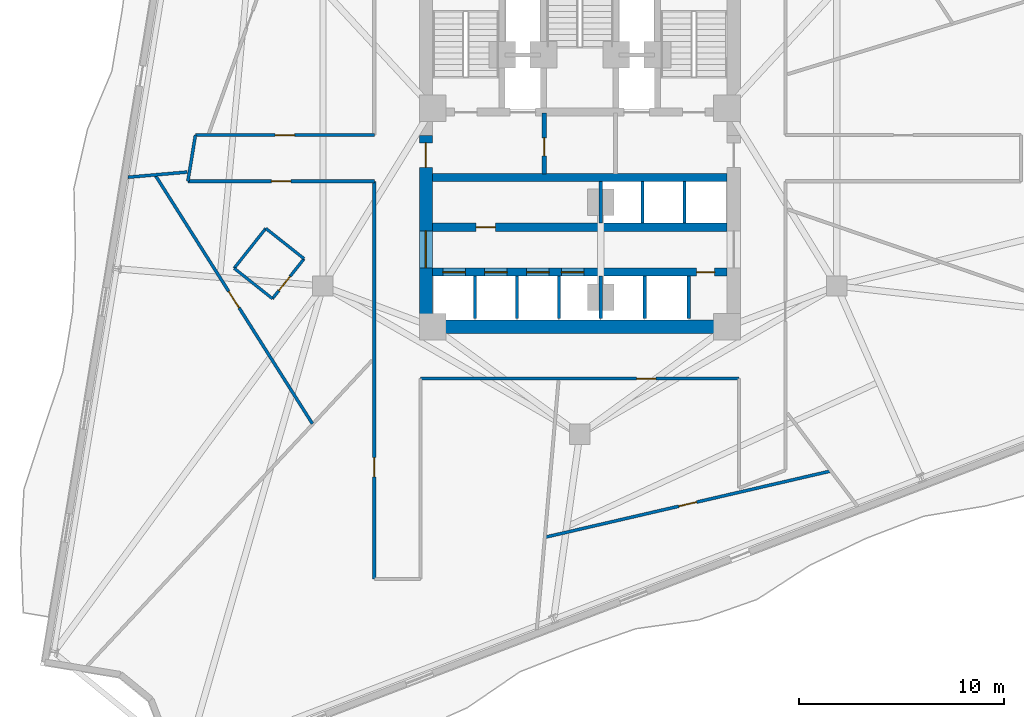
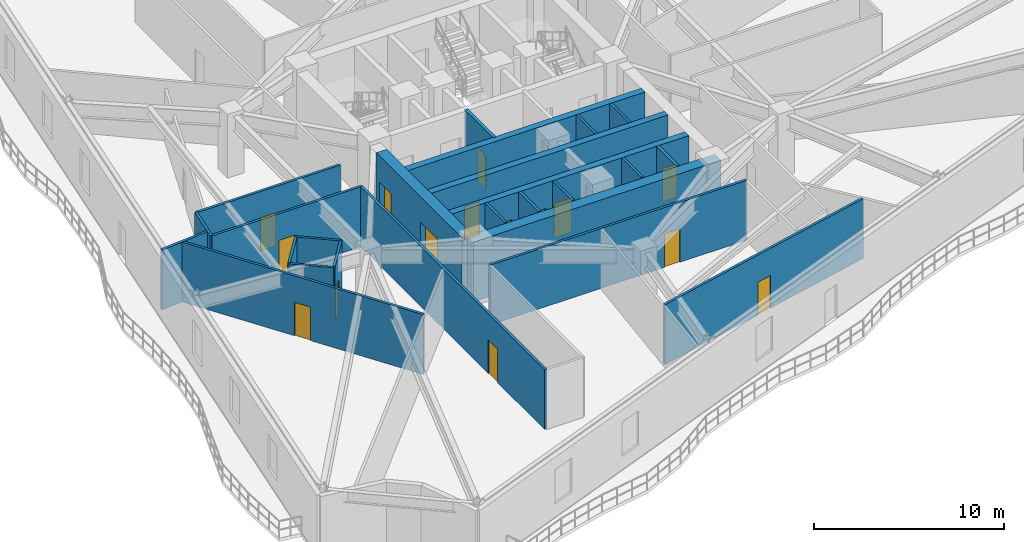
# One storey, part 4 of 11: 27 walls, 16 doors, 16 openings.
"""IFC4 building model written with IfcOpenShell, lengths in metres."""

import ifcopenshell
import ifcopenshell.guid

model = None  # the IFC model being written
_history = None  # IfcOwnerHistory: only IFC2X3 demands one
_inside = {}  # id of a spatial element -> (the spatial element, [elements in it])
_under = {}  # id of a project, library or spatial element -> (it, [spatial elements below it])
_declared = {}  # id of a project -> (the project, [libraries it declares])
_typed = {}  # id of a type object -> (the type object, [elements of that type])
_made_of = {}  # id of a material, layer set ... -> (it, [elements and type objects made of it])


def new_model(schema):
    """Start an empty IFC model of exactly this schema.

    Asked for "IFC4X3", IfcOpenShell would pick the latest addendum, in which some entities
    have other attributes; the version numbers below select the first issue.
    IFC2X3 requires an IfcOwnerHistory on every rooted entity: one is made here for all.
    """
    global model, _history
    if schema == "IFC4X3":
        model = ifcopenshell.file(schema_version=(4, 3, 0, 0))
    else:
        model = ifcopenshell.file(schema=schema)
    _inside.clear()
    _under.clear()
    _declared.clear()
    _typed.clear()
    _made_of.clear()
    _history = None
    if model.schema == "IFC2X3":
        org = make("IfcOrganization", Name="unknown")
        user = make(
            "IfcPersonAndOrganization",
            ThePerson=make("IfcPerson", FamilyName="unknown"),
            TheOrganization=org,
        )
        app = make(
            "IfcApplication",
            ApplicationDeveloper=org,
            Version="unknown",
            ApplicationFullName="unknown",
            ApplicationIdentifier="unknown",
        )
        _history = make(
            "IfcOwnerHistory",
            OwningUser=user,
            OwningApplication=app,
            ChangeAction="ADDED",
            CreationDate=0,
        )
    return model


def make(cls, **values):
    """One entity of the class cls with the attributes given. An attribute that is None is left unset."""
    return model.create_entity(
        cls, **{name: value for name, value in values.items() if value is not None}
    )


def rooted(cls, **values):
    """An entity with a GlobalId (a new one), such as an element, a storey or a relation."""
    return make(cls, GlobalId=ifcopenshell.guid.new(), OwnerHistory=_history, **values)


def si_unit(unit_type, name, prefix=None):
    """IfcSIUnit, for example si_unit("LENGTHUNIT", "METRE", prefix="MILLI")."""
    return make("IfcSIUnit", UnitType=unit_type, Prefix=prefix, Name=name)


def assignment(units):
    """IfcUnitAssignment: the units of a project."""
    return None if units is None else make("IfcUnitAssignment", Units=units)


def point(xyz):
    """IfcCartesianPoint."""
    return None if xyz is None else make("IfcCartesianPoint", Coordinates=xyz)


def direction(xyz):
    """IfcDirection."""
    return None if xyz is None else make("IfcDirection", DirectionRatios=xyz)


def frame(location, z_axis=None, x_axis=None):
    """IfcAxis2Placement3D, a coordinate frame: its origin and axes. An axis left out is left unset."""
    return make(
        "IfcAxis2Placement3D",
        Location=point(location),
        Axis=direction(z_axis),
        RefDirection=direction(x_axis),
    )


def frame_2d(location, x_axis=None):
    """IfcAxis2Placement2D, a coordinate frame in the plane: its origin and x axis."""
    return make(
        "IfcAxis2Placement2D", Location=point(location), RefDirection=direction(x_axis)
    )


def origin():
    """The frame at (0, 0, 0) with its axes left unset."""
    return frame((0.0, 0.0, 0.0))


def place(relative_to, where):
    """IfcLocalPlacement: puts the frame where relative to a parent placement (None: the world)."""
    return make(
        "IfcLocalPlacement", PlacementRelTo=relative_to, RelativePlacement=where
    )


def context(
    kind, dimensions, precision=None, world=None, true_north=None, identifier=None
):
    """IfcGeometricRepresentationContext, for example the 3D "Model" context."""
    return make(
        "IfcGeometricRepresentationContext",
        ContextIdentifier=identifier,
        ContextType=kind,
        CoordinateSpaceDimension=dimensions,
        Precision=precision,
        WorldCoordinateSystem=world,
        TrueNorth=true_north,
    )


def subcontext(parent, identifier, kind, view, scale=None):
    """IfcGeometricRepresentationSubContext, for example "Body" below "Model"."""
    return make(
        "IfcGeometricRepresentationSubContext",
        ContextIdentifier=identifier,
        ContextType=kind,
        ParentContext=parent,
        TargetScale=scale,
        TargetView=view,
    )


def project(units=None, contexts=None):
    """IfcProject with its units and contexts."""
    return rooted(
        "IfcProject",
        Name="project",
        RepresentationContexts=contexts,
        UnitsInContext=assignment(units),
    )


def spatial(cls, under=None, at=None, **own):
    """A site, building, storey or space (cls), placed at a placement, below another one or the project."""
    s = rooted(cls, ObjectPlacement=at, **own)
    if under is not None:
        _under.setdefault(under.id(), (under, []))[1].append(s)
    return s


def profile(cls, at=None, kind="AREA", **sizes):
    """A parametric profile (cls). Its sizes go by their IFC names, for example OverallWidth=200.0."""
    return make(cls, ProfileType=kind, Position=at, **sizes)


def rectangle(**sizes):
    """IfcRectangleProfileDef."""
    return profile("IfcRectangleProfileDef", **sizes)


def extrude(swept, where, along, depth):
    """IfcExtrudedAreaSolid: the profile swept, set in the frame where, extruded along a direction by depth."""
    return make(
        "IfcExtrudedAreaSolid",
        SweptArea=swept,
        Position=where,
        ExtrudedDirection=direction(along),
        Depth=depth,
    )


def shape(context_of_items, identifier, shape_type, items):
    """IfcShapeRepresentation: the items that make up one representation, for example the "Body"."""
    return make(
        "IfcShapeRepresentation",
        ContextOfItems=context_of_items,
        RepresentationIdentifier=identifier,
        RepresentationType=shape_type,
        Items=items,
    )


def material(Name=None, Category=None):
    """IfcMaterial."""
    return make("IfcMaterial", Name=Name, Category=Category)


def layer(
    of_material, thickness, ventilated=None, Name=None, Category=None, Priority=None
):
    """IfcMaterialLayer: one layer of a wall or slab, of a material (None: an air gap)."""
    return make(
        "IfcMaterialLayer",
        Material=of_material,
        LayerThickness=thickness,
        IsVentilated=ventilated,
        Name=Name,
        Category=Category,
        Priority=Priority,
    )


def layer_set(layers, Name=None):
    """IfcMaterialLayerSet."""
    return make("IfcMaterialLayerSet", MaterialLayers=layers, LayerSetName=Name)


def made_of(thing, what):
    """Note that an element or type object is made of a material, layer set ...; save() writes the relation."""
    if what is not None:
        _made_of.setdefault(what.id(), (what, []))[1].append(thing)
    return thing


def type_object(cls, material=None, **own):
    """A type object (cls), such as IfcWallType, which elements share."""
    return made_of(rooted(cls, **own), material)


def element(
    cls,
    number,
    at=None,
    inside=None,
    cuts=None,
    type_object=None,
    material=None,
    context=None,
    identifier="Body",
    shape_type=None,
    held_by="IfcProductDefinitionShape",
    body=None,
    shapes=None,
    **own,
):
    """One element of the class cls, such as IfcWall. Its Tag is "e" and its number.

    at: its placement. inside: the storey or other place that contains it. cuts: it is an
    opening in that element (IfcRelVoidsElement). A single representation is given by context,
    identifier, shape_type and body (its items); several are given by shapes. held_by: the class
    of the entity that holds the representations. save() writes the other relations.
    """
    e = rooted(cls, Tag="e%d" % number, ObjectPlacement=at, **own)
    if body is not None:
        shapes = [shape(context, identifier, shape_type, body)]
    if shapes is not None:
        e.Representation = make(held_by, Representations=shapes)
    if inside is not None:
        _inside.setdefault(inside.id(), (inside, []))[1].append(e)
    if cuts is not None:
        rooted(
            "IfcRelVoidsElement", RelatingBuildingElement=cuts, RelatedOpeningElement=e
        )
    if type_object is not None:
        _typed.setdefault(type_object.id(), (type_object, []))[1].append(e)
    return made_of(e, material)


def fill(opening, filler):
    """IfcRelFillsElement: the door or window that sits in an opening."""
    return rooted(
        "IfcRelFillsElement",
        RelatingOpeningElement=opening,
        RelatedBuildingElement=filler,
    )


def aggregate(whole, parts):
    """IfcRelAggregates: a whole, such as a stair, and the parts it consists of."""
    return rooted("IfcRelAggregates", RelatingObject=whole, RelatedObjects=parts)


def save(model, path):
    """Write the relations noted so far, then the file.

    IfcRelAggregates (storeys below a building ...), IfcRelContainedInSpatialStructure (elements
    in a storey), IfcRelDefinesByType, IfcRelAssociatesMaterial and IfcRelDeclares: one each for
    every whole, place, type object, material and project.
    """
    for whole, parts in _under.values():
        aggregate(whole, parts)
    for where, things in _inside.values():
        rooted(
            "IfcRelContainedInSpatialStructure",
            RelatedElements=things,
            RelatingStructure=where,
        )
    for kind, things in _typed.values():
        rooted("IfcRelDefinesByType", RelatedObjects=things, RelatingType=kind)
    for what, things in _made_of.values():
        rooted("IfcRelAssociatesMaterial", RelatedObjects=things, RelatingMaterial=what)
    for by, libraries in _declared.values():
        rooted("IfcRelDeclares", RelatingContext=by, RelatedDefinitions=libraries)
    model.write(path)


model = new_model("IFC4")

# Units and contexts
model_context = context("Model", 3, precision=1e-05, world=origin(), true_north=direction((0.0, 1.0)))
body_context = subcontext(model_context, "Body", "Model", "MODEL_VIEW")
ifc_project = project(units=[si_unit("LENGTHUNIT", "METRE"), si_unit("AREAUNIT", "SQUARE_METRE"), si_unit("VOLUMEUNIT", "CUBIC_METRE"), si_unit("PLANEANGLEUNIT", "RADIAN"), si_unit("MASSUNIT", "GRAM", prefix="KILO")], contexts=[model_context])

# Site, building, storey
site_placement = place(None, origin())
site = spatial("IfcSite", under=ifc_project, at=site_placement, CompositionType="ELEMENT")
building_placement = place(site_placement, origin())
building = spatial("IfcBuilding", under=site, at=building_placement, Name="Apsidion Concourse Tower", CompositionType="ELEMENT")
storey_placement = place(building_placement, frame((0.0, 0.0, 148.60009765625)))
storey = spatial("IfcBuildingStorey", under=building, at=storey_placement, Name="L34", CompositionType="ELEMENT", Elevation=148.60009765625)

# Walls
ifc_material_1 = material(Name="Gypsum plasterboard partition")
ifc_layer_1 = layer(ifc_material_1, 0.139892578125)
ifc_layer_set_1 = layer_set([ifc_layer_1], Name="Gypsum plasterboard partition")
wall_type_1 = type_object("IfcWallType", Name="WL-INT-PAR-140", PredefinedType="PARTITIONING", material=ifc_layer_set_1)
wall_1_placement = place(storey_placement, frame((-15.35400390625, -4.432861328125, 0.0), z_axis=(0.0, 0.0, 1.0), x_axis=(-0.621077092267, -0.783749478763, 0.0)))
element("IfcWall", 1, at=wall_1_placement, inside=storey, type_object=wall_type_1, Name="L34 Interior Partition WL-L34-POD-OFAWC-S1", PredefinedType="PARTITIONING", context=body_context, shape_type="SweptSolid", body=[
    extrude(rectangle(XDim=2.48974609375, YDim=0.139892578125, at=frame_2d((1.244873046875, 0.0))), origin(), (0.0, 0.0, 1.0), 3.849853515625),
])
wall_2_placement = place(storey_placement, frame((-16.900390625, -6.38427734375, 0.0), z_axis=(0.0, 0.0, 1.0), x_axis=(0.783641720923, -0.621213049789, 0.0)))
element("IfcWall", 2, at=wall_2_placement, inside=storey, type_object=wall_type_1, Name="L34 Interior Partition WL-L34-POD-OFAWC-S2", PredefinedType="PARTITIONING", context=body_context, shape_type="SweptSolid", body=[
    extrude(rectangle(XDim=2.389892578125, YDim=0.139892578125, at=frame_2d((1.19482421875, 0.0))), origin(), (0.0, 0.0, 1.0), 3.849853515625),
])

# Wall, opening, door
wall_3_placement = place(storey_placement, frame((-15.027587890625, -7.868896484375, 0.0), z_axis=(0.0, 0.0, 1.0), x_axis=(0.621137318029, 0.783701749488, 0.0)))
wall_3 = element("IfcWall", 3, at=wall_3_placement, inside=storey, type_object=wall_type_1, Name="L34 Interior Partition WL-L34-POD-OFAWC-S3", PredefinedType="PARTITIONING", context=body_context, shape_type="SweptSolid", body=[
    extrude(rectangle(XDim=2.489990234375, YDim=0.139892578125, at=frame_2d((1.2451171875, 0.0))), origin(), (0.0, 0.0, 1.0), 3.849853515625),
])
opening_1_placement = place(wall_3_placement, frame((0.5048828125, 0.0, 0.0)))
opening_1 = element("IfcOpeningElement", 4, at=opening_1_placement, cuts=wall_3, Name="Opening D-03R", PredefinedType="OPENING", context=body_context, shape_type="SweptSolid", body=[
    extrude(rectangle(XDim=0.8798828125, YDim=2.10009765625, at=frame_2d((0.43994140625, 1.050048828125))), frame((0.0, 0.080078125, 0.0), z_axis=(0.0, -1.0, 0.0), x_axis=(1.0, 0.0, 0.0)), (0.0, 0.0, 1.0), 0.159912109375),
])
ifc_material_2 = material(Name="Anodised aluminium EN AW-6063 T6", Category="aluminium")
door_type_1 = type_object("IfcDoorType", Name="DR-INT-D03R", OperationType="SINGLE_SWING_RIGHT", PredefinedType="DOOR", material=ifc_material_2)
door_1_placement = place(opening_1_placement, origin())
door_1 = element("IfcDoor", 5, at=door_1_placement, inside=storey, type_object=door_type_1, Name="L34 Office Accessible WC Door OFAWC", OperationType="SINGLE_SWING_RIGHT", OverallHeight=2.10009765625, OverallWidth=0.8798828125, PredefinedType="DOOR", context=body_context, shape_type="SweptSolid", body=[
    extrude(rectangle(XDim=0.8798828125, YDim=2.10009765625, at=frame_2d((0.43994140625, 1.050048828125))), frame((0.0, 0.02490234375, 0.0), z_axis=(0.0, -1.0, 0.0), x_axis=(1.0, 0.0, 0.0)), (0.0, 0.0, 1.0), 0.050048828125),
])
fill(opening_1, door_1)

# Walls
wall_4_placement = place(storey_placement, frame((-13.48095703125, -5.91748046875, 0.0), z_axis=(0.0, 0.0, 1.0), x_axis=(-0.783681138921, 0.621163321921, 0.0)))
element("IfcWall", 6, at=wall_4_placement, inside=storey, type_object=wall_type_1, Name="L34 Interior Partition WL-L34-POD-OFAWC-S4", PredefinedType="PARTITIONING", context=body_context, shape_type="SweptSolid", body=[
    extrude(rectangle(XDim=2.39013671875, YDim=0.139892578125, at=frame_2d((1.195068359375, 0.0))), origin(), (0.0, 0.0, 1.0), 3.849853515625),
])
ifc_layer_2 = layer(ifc_material_1, 0.14990234375)
ifc_layer_set_2 = layer_set([ifc_layer_2], Name="Gypsum plasterboard partition")
wall_type_2 = type_object("IfcWallType", Name="WL-INT-PAR-150", PredefinedType="PARTITIONING", material=ifc_layer_set_2)
for number, where, z_axis, x_axis, name in (
    (7, (3.074951171875, -4.179931640625, 0.0), (0.0, 0.0, 1.0), (0.0, 1.0, 0.0), "L34 Interior Partition WL-L34-B3DIV-1"),
    (8, (5.125, -4.179931640625, 0.0), (0.0, 0.0, 1.0), (0.0, 1.0, 0.0), "L34 Interior Partition WL-L34-B3DIV-2"),
):
    element("IfcWall", number, at=place(storey_placement, frame(where, z_axis=z_axis, x_axis=x_axis)), inside=storey, type_object=wall_type_2, Name=name, PredefinedType="PARTITIONING", context=body_context, shape_type="SweptSolid", body=[
        extrude(rectangle(XDim=2.030029296875, YDim=0.14990234375, at=frame_2d((1.01513671875, 0.0))), origin(), (0.0, 0.0, 1.0), 3.849853515625),
    ])
for number, where, z_axis, x_axis, name in (
    (9, (-5.125, -8.85009765625, 0.0), (0.0, 0.0, 1.0), (0.0, 1.0, 0.0), "L34 Interior Partition WL-L34-B2DIV-1"),
    (10, (-3.074951171875, -8.85009765625, 0.0), (0.0, 0.0, 1.0), (0.0, 1.0, 0.0), "L34 Interior Partition WL-L34-B2DIV-2"),
    (11, (-1.02490234375, -8.85009765625, 0.0), (0.0, 0.0, 1.0), (0.0, 1.0, 0.0), "L34 Interior Partition WL-L34-B2DIV-3"),
    (12, (3.175048828125, -8.85009765625, 0.0), (0.0, 0.0, 1.0), (0.0, 1.0, 0.0), "L34 Interior Partition WL-L34-SHDIV-1"),
):
    element("IfcWall", number, at=place(storey_placement, frame(where, z_axis=z_axis, x_axis=x_axis)), inside=storey, type_object=wall_type_2, Name=name, PredefinedType="PARTITIONING", context=body_context, shape_type="SweptSolid", body=[
        extrude(rectangle(XDim=2.080078125, YDim=0.14990234375, at=frame_2d((1.0400390625, 0.0))), origin(), (0.0, 0.0, 1.0), 3.849853515625),
    ])

# Wall, opening, door
wall_5_placement = place(storey_placement, frame((7.7900390625, -11.77490234375, 0.0), z_axis=(0.0, 0.0, 1.0), x_axis=(-1.0, 0.0, 0.0)))
wall_5 = element("IfcWall", 13, at=wall_5_placement, inside=storey, type_object=wall_type_2, Name="L34 Interior Partition WL-L34-CORR-03", PredefinedType="PARTITIONING", context=body_context, shape_type="SweptSolid", body=[
    extrude(rectangle(XDim=15.580078125, YDim=0.14990234375, at=frame_2d((7.7900390625, 0.0))), origin(), (0.0, 0.0, 1.0), 3.849853515625),
])
opening_2_placement = place(wall_5_placement, frame((4.066650390625, 0.0, 0.0)))
opening_2 = element("IfcOpeningElement", 14, at=opening_2_placement, cuts=wall_5, Name="Opening D-01L", PredefinedType="OPENING", context=body_context, shape_type="SweptSolid", body=[
    extrude(rectangle(XDim=0.949951171875, YDim=2.14990234375, at=frame_2d((0.47509765625, 1.074951171875))), frame((0.0, 0.0849609375, 0.0), z_axis=(0.0, -1.0, 0.0), x_axis=(1.0, 0.0, 0.0)), (0.0, 0.0, 1.0), 0.169921875),
])
ifc_material_3 = material(Name="Brushed stainless steel 316", Category="steel")
door_type_2 = type_object("IfcDoorType", Name="DR-INT-D01L", OperationType="SINGLE_SWING_LEFT", PredefinedType="DOOR", material=ifc_material_3)
door_2_placement = place(opening_2_placement, origin())
door_2 = element("IfcDoor", 15, at=door_2_placement, inside=storey, type_object=door_type_2, Name="L34 Corridor Entry Door 03", OperationType="SINGLE_SWING_LEFT", OverallHeight=2.14990234375, OverallWidth=0.949951171875, PredefinedType="DOOR", context=body_context, shape_type="SweptSolid", body=[
    extrude(rectangle(XDim=0.949951171875, YDim=2.14990234375, at=frame_2d((0.47509765625, 1.074951171875))), frame((0.0, 0.02490234375, 0.0), z_axis=(0.0, -1.0, 0.0), x_axis=(1.0, 0.0, 0.0)), (0.0, 0.0, 1.0), 0.050048828125),
])
fill(opening_2, door_2)

wall_6_placement = place(storey_placement, frame((-10.050048828125, -21.580078125, 0.0), z_axis=(0.0, 0.0, 1.0), x_axis=(0.0, 1.0, 0.0)))
wall_6 = element("IfcWall", 16, at=wall_6_placement, inside=storey, type_object=wall_type_2, Name="L34 Interior Partition WL-L34-CORR-06", PredefinedType="PARTITIONING", context=body_context, shape_type="SweptSolid", body=[
    extrude(rectangle(XDim=19.4501953125, YDim=0.14990234375, at=frame_2d((9.72509765625, 0.0))), origin(), (0.0, 0.0, 1.0), 3.849853515625),
])
opening_3_placement = place(wall_6_placement, frame((4.990478515625, 0.0, 0.0)))
opening_3 = element("IfcOpeningElement", 17, at=opening_3_placement, cuts=wall_6, Name="Opening D-01R", PredefinedType="OPENING", context=body_context, shape_type="SweptSolid", body=[
    extrude(rectangle(XDim=0.949951171875, YDim=2.14990234375, at=frame_2d((0.47509765625, 1.074951171875))), frame((0.0, 0.0849609375, 0.0), z_axis=(0.0, -1.0, 0.0), x_axis=(1.0, 0.0, 0.0)), (0.0, 0.0, 1.0), 0.169921875),
])
door_type_3 = type_object("IfcDoorType", Name="DR-INT-D01R", OperationType="SINGLE_SWING_RIGHT", PredefinedType="DOOR", material=ifc_material_3)
door_3_placement = place(opening_3_placement, origin())
door_3 = element("IfcDoor", 18, at=door_3_placement, inside=storey, type_object=door_type_3, Name="L34 Corridor Entry Door 02", OperationType="SINGLE_SWING_RIGHT", OverallHeight=2.14990234375, OverallWidth=0.949951171875, PredefinedType="DOOR", context=body_context, shape_type="SweptSolid", body=[
    extrude(rectangle(XDim=0.949951171875, YDim=2.14990234375, at=frame_2d((0.47509765625, 1.074951171875))), frame((0.0, 0.02490234375, 0.0), z_axis=(0.0, -1.0, 0.0), x_axis=(1.0, 0.0, 0.0)), (0.0, 0.0, 1.0), 0.050048828125),
])
fill(opening_3, door_3)

wall_7_placement = place(storey_placement, frame((-10.050048828125, -2.1298828125, 0.0), z_axis=(0.0, 0.0, 1.0), x_axis=(-1.0, 0.0, 0.0)))
wall_7 = element("IfcWall", 19, at=wall_7_placement, inside=storey, type_object=wall_type_2, Name="L34 Interior Partition WL-L34-CORR-07", PredefinedType="PARTITIONING", context=body_context, shape_type="SweptSolid", body=[
    extrude(rectangle(XDim=9.1142578125, YDim=0.14990234375, at=frame_2d((4.55712890625, 0.0))), origin(), (0.0, 0.0, 1.0), 3.849853515625),
])
opening_4_placement = place(wall_7_placement, frame((4.082275390625, 0.0, 0.0)))
opening_4 = element("IfcOpeningElement", 20, at=opening_4_placement, cuts=wall_7, Name="Opening D-01L", PredefinedType="OPENING", context=body_context, shape_type="SweptSolid", body=[
    extrude(rectangle(XDim=0.949951171875, YDim=2.14990234375, at=frame_2d((0.47509765625, 1.074951171875))), frame((0.0, 0.0849609375, 0.0), z_axis=(0.0, -1.0, 0.0), x_axis=(1.0, 0.0, 0.0)), (0.0, 0.0, 1.0), 0.169921875),
])
door_4_placement = place(opening_4_placement, origin())
door_4 = element("IfcDoor", 21, at=door_4_placement, inside=storey, type_object=door_type_2, Name="L34 Corridor Entry Door 01", OperationType="SINGLE_SWING_LEFT", OverallHeight=2.14990234375, OverallWidth=0.949951171875, PredefinedType="DOOR", context=body_context, shape_type="SweptSolid", body=[
    extrude(rectangle(XDim=0.949951171875, YDim=2.14990234375, at=frame_2d((0.47509765625, 1.074951171875))), frame((0.0, 0.02490234375, 0.0), z_axis=(0.0, -1.0, 0.0), x_axis=(1.0, 0.0, 0.0)), (0.0, 0.0, 1.0), 0.050048828125),
])
fill(opening_4, door_4)

# Wall
wall_8_placement = place(storey_placement, frame((-19.164306640625, -2.1298828125, 0.0), z_axis=(0.0, 0.0, 1.0), x_axis=(0.161943522339, 0.986800028158, 0.0)))
element("IfcWall", 22, at=wall_8_placement, inside=storey, type_object=wall_type_2, Name="L34 Interior Partition WL-L34-CORR-08", PredefinedType="PARTITIONING", context=body_context, shape_type="SweptSolid", body=[
    extrude(rectangle(XDim=2.2900390625, YDim=0.14990234375, at=frame_2d((1.14501953125, 0.0))), origin(), (0.0, 0.0, 1.0), 3.849853515625),
])

# Wall, opening, door
wall_9_placement = place(storey_placement, frame((-18.79345703125, 0.1298828125, 0.0), z_axis=(0.0, 0.0, 1.0), x_axis=(1.0, 0.0, 0.0)))
wall_9 = element("IfcWall", 23, at=wall_9_placement, inside=storey, type_object=wall_type_2, Name="L34 Interior Partition WL-L34-CORR-09", PredefinedType="PARTITIONING", context=body_context, shape_type="SweptSolid", body=[
    extrude(rectangle(XDim=8.743408203125, YDim=0.14990234375, at=frame_2d((4.37158203125, 0.0))), origin(), (0.0, 0.0, 1.0), 3.849853515625),
])
opening_5_placement = place(wall_9_placement, frame((3.896728515625, 0.0, 0.0)))
opening_5 = element("IfcOpeningElement", 24, at=opening_5_placement, cuts=wall_9, Name="Opening D-01L", PredefinedType="OPENING", context=body_context, shape_type="SweptSolid", body=[
    extrude(rectangle(XDim=0.949951171875, YDim=2.14990234375, at=frame_2d((0.47509765625, 1.074951171875))), frame((0.0, 0.0849609375, 0.0), z_axis=(0.0, -1.0, 0.0), x_axis=(1.0, 0.0, 0.0)), (0.0, 0.0, 1.0), 0.169921875),
])
door_5_placement = place(opening_5_placement, origin())
door_5 = element("IfcDoor", 25, at=door_5_placement, inside=storey, type_object=door_type_2, Name="L34 Corridor Entry Door 09", OperationType="SINGLE_SWING_LEFT", OverallHeight=2.14990234375, OverallWidth=0.949951171875, PredefinedType="DOOR", context=body_context, shape_type="SweptSolid", body=[
    extrude(rectangle(XDim=0.949951171875, YDim=2.14990234375, at=frame_2d((0.47509765625, 1.074951171875))), frame((0.0, 0.02490234375, 0.0), z_axis=(0.0, -1.0, 0.0), x_axis=(1.0, 0.0, 0.0)), (0.0, 0.0, 1.0), 0.050048828125),
])
fill(opening_5, door_5)

# Wall
wall_10_placement = place(storey_placement, frame((-19.197021484375, -1.679443359375, 0.0), z_axis=(0.0, 0.0, 1.0), x_axis=(-0.996195359261, -0.087148185216, 0.0)))
element("IfcWall", 26, at=wall_10_placement, inside=storey, type_object=wall_type_2, Name="L34 Interior Partition WL-L34-RAD-05-1", PredefinedType="PARTITIONING", context=body_context, shape_type="SweptSolid", body=[
    extrude(rectangle(XDim=2.905029296875, YDim=0.14990234375, at=frame_2d((1.45263671875, 0.0))), origin(), (0.0, 0.0, 1.0), 3.849853515625),
])

# Wall, opening, door
wall_11_placement = place(storey_placement, frame((-20.753662109375, -1.8408203125, 0.0), z_axis=(0.0, 0.0, 1.0), x_axis=(0.53443787688, -0.84520775893, 0.0)))
wall_11 = element("IfcWall", 27, at=wall_11_placement, inside=storey, type_object=wall_type_2, Name="L34 Interior Partition WL-L34-CHD-OFWC", PredefinedType="PARTITIONING", context=body_context, shape_type="SweptSolid", body=[
    extrude(rectangle(XDim=14.367919921875, YDim=0.14990234375, at=frame_2d((7.18408203125, 0.0))), origin(), (0.0, 0.0, 1.0), 3.849853515625),
])
opening_6_placement = place(wall_11_placement, frame((6.708984375, 0.0, 0.0)))
opening_6 = element("IfcOpeningElement", 28, at=opening_6_placement, cuts=wall_11, Name="Opening D-04L", PredefinedType="OPENING", context=body_context, shape_type="SweptSolid", body=[
    extrude(rectangle(XDim=0.949951171875, YDim=2.14990234375, at=frame_2d((0.47509765625, 1.074951171875))), frame((0.0, 0.0849609375, 0.0), z_axis=(0.0, -1.0, 0.0), x_axis=(1.0, 0.0, 0.0)), (0.0, 0.0, 1.0), 0.169921875),
])
door_type_4 = type_object("IfcDoorType", Name="DR-INT-D04L", OperationType="SINGLE_SWING_LEFT", PredefinedType="DOOR", material=ifc_material_3)
door_6_placement = place(opening_6_placement, origin())
door_6 = element("IfcDoor", 29, at=door_6_placement, inside=storey, type_object=door_type_4, Name="L34 Suite Connecting Door OFWC", OperationType="SINGLE_SWING_LEFT", OverallHeight=2.14990234375, OverallWidth=0.949951171875, PredefinedType="DOOR", context=body_context, shape_type="SweptSolid", body=[
    extrude(rectangle(XDim=0.949951171875, YDim=2.14990234375, at=frame_2d((0.47509765625, 1.074951171875))), frame((0.0, 0.02490234375, 0.0), z_axis=(0.0, -1.0, 0.0), x_axis=(1.0, 0.0, 0.0)), (0.0, 0.0, 1.0), 0.050048828125),
])
fill(opening_6, door_6)

wall_12_placement = place(storey_placement, frame((-1.683837890625, -19.53271484375, 0.0), z_axis=(0.0, 0.0, 1.0), x_axis=(0.974168973581, 0.225820306685, 0.0)))
wall_12 = element("IfcWall", 30, at=wall_12_placement, inside=storey, type_object=wall_type_2, Name="L34 Interior Partition WL-L34-CHD-OFS02", PredefinedType="PARTITIONING", context=body_context, shape_type="SweptSolid", body=[
    extrude(rectangle(XDim=14.306640625, YDim=0.14990234375, at=frame_2d((7.1533203125, 0.0))), origin(), (0.0, 0.0, 1.0), 3.849853515625),
])
opening_7_placement = place(wall_12_placement, frame((6.703369140625, 0.0, 0.0)))
opening_7 = element("IfcOpeningElement", 31, at=opening_7_placement, cuts=wall_12, Name="Opening D-02L", PredefinedType="OPENING", context=body_context, shape_type="SweptSolid", body=[
    extrude(rectangle(XDim=0.89990234375, YDim=2.10009765625, at=frame_2d((0.449951171875, 1.050048828125))), frame((0.0, 0.0849609375, 0.0), z_axis=(0.0, -1.0, 0.0), x_axis=(1.0, 0.0, 0.0)), (0.0, 0.0, 1.0), 0.169921875),
])
door_type_5 = type_object("IfcDoorType", Name="DR-INT-D02L", OperationType="SINGLE_SWING_LEFT", PredefinedType="DOOR", material=ifc_material_2)
door_7_placement = place(opening_7_placement, origin())
door_7 = element("IfcDoor", 32, at=door_7_placement, inside=storey, type_object=door_type_5, Name="L34 Suite Connecting Door OFS02", OperationType="SINGLE_SWING_LEFT", OverallHeight=2.10009765625, OverallWidth=0.89990234375, PredefinedType="DOOR", context=body_context, shape_type="SweptSolid", body=[
    extrude(rectangle(XDim=0.89990234375, YDim=2.10009765625, at=frame_2d((0.449951171875, 1.050048828125))), frame((0.0, 0.02490234375, 0.0), z_axis=(0.0, -1.0, 0.0), x_axis=(1.0, 0.0, 0.0)), (0.0, 0.0, 1.0), 0.050048828125),
])
fill(opening_7, door_7)

# Walls
ifc_layer_3 = layer(ifc_material_1, 0.179931640625)
ifc_layer_set_3 = layer_set([ifc_layer_3], Name="Gypsum plasterboard partition")
wall_type_3 = type_object("IfcWallType", Name="WL-INT-PAR-180", PredefinedType="PARTITIONING", material=ifc_layer_set_3)
wall_13_placement = place(storey_placement, frame((1.02490234375, -4.179931640625, 0.0), z_axis=(0.0, 0.0, 1.0), x_axis=(0.0, 1.0, 0.0)))
element("IfcWall", 33, at=wall_13_placement, inside=storey, type_object=wall_type_3, Name="L34 Interior Partition WL-L34-B1END", PredefinedType="PARTITIONING", context=body_context, shape_type="SweptSolid", body=[
    extrude(rectangle(XDim=2.030029296875, YDim=0.179931640625, at=frame_2d((1.01513671875, 0.0))), origin(), (0.0, 0.0, 1.0), 2.89794921875),
])
wall_14_placement = place(storey_placement, frame((1.02490234375, -8.85009765625, 0.0), z_axis=(0.0, 0.0, 1.0), x_axis=(0.0, 1.0, 0.0)))
element("IfcWall", 34, at=wall_14_placement, inside=storey, type_object=wall_type_3, Name="L34 Interior Partition WL-L34-B2END", PredefinedType="PARTITIONING", context=body_context, shape_type="SweptSolid", body=[
    extrude(rectangle(XDim=2.080078125, YDim=0.179931640625, at=frame_2d((1.0400390625, 0.0))), origin(), (0.0, 0.0, 1.0), 2.89794921875),
])
wall_15_placement = place(storey_placement, frame((5.324951171875, -8.85009765625, 0.0), z_axis=(0.0, 0.0, 1.0), x_axis=(0.0, 1.0, 0.0)))
element("IfcWall", 35, at=wall_15_placement, inside=storey, type_object=wall_type_3, Name="L34 Interior Partition WL-L34-SHDIV-2", PredefinedType="PARTITIONING", context=body_context, shape_type="SweptSolid", body=[
    extrude(rectangle(XDim=2.080078125, YDim=0.179931640625, at=frame_2d((1.0400390625, 0.0))), origin(), (0.0, 0.0, 1.0), 3.849853515625),
])

# Wall, opening, door
ifc_layer_4 = layer(ifc_material_1, 0.199951171875)
ifc_layer_set_4 = layer_set([ifc_layer_4], Name="Gypsum plasterboard partition")
wall_type_4 = type_object("IfcWallType", Name="WL-INT-PAR-200", PredefinedType="PARTITIONING", material=ifc_layer_set_4)
wall_16_placement = place(storey_placement, frame((-1.739990234375, -1.780029296875, 0.0), z_axis=(0.0, 0.0, 1.0), x_axis=(0.0, 1.0, 0.0)))
wall_16 = element("IfcWall", 36, at=wall_16_placement, inside=storey, type_object=wall_type_4, Name="L34 Interior Partition WL-L34-FF1-E", PredefinedType="PARTITIONING", context=body_context, shape_type="SweptSolid", body=[
    extrude(rectangle(XDim=2.97998046875, YDim=0.199951171875, at=frame_2d((1.489990234375, 0.0))), origin(), (0.0, 0.0, 1.0), 3.849853515625),
])
opening_8_placement = place(wall_16_placement, frame((0.889892578125, 0.0, 0.0)))
opening_8 = element("IfcOpeningElement", 37, at=opening_8_placement, cuts=wall_16, Name="Opening D-05R", PredefinedType="OPENING", context=body_context, shape_type="SweptSolid", body=[
    extrude(rectangle(XDim=0.8798828125, YDim=2.14990234375, at=frame_2d((0.43994140625, 1.074951171875))), frame((0.0, 0.10986328125, 0.0), z_axis=(0.0, -1.0, 0.0), x_axis=(1.0, 0.0, 0.0)), (0.0, 0.0, 1.0), 0.219970703125),
])
door_type_6 = type_object("IfcDoorType", Name="DR-INT-D05R", OperationType="SINGLE_SWING_RIGHT", PredefinedType="DOOR", material=ifc_material_3)
door_8_placement = place(opening_8_placement, origin())
door_8 = element("IfcDoor", 38, at=door_8_placement, inside=storey, type_object=door_type_6, Name="L34 Core BMS Door", OperationType="SINGLE_SWING_RIGHT", OverallHeight=2.14990234375, OverallWidth=0.8798828125, PredefinedType="DOOR", context=body_context, shape_type="SweptSolid", body=[
    extrude(rectangle(XDim=0.8798828125, YDim=2.14990234375, at=frame_2d((0.43994140625, 1.074951171875))), frame((0.0, 0.02490234375, 0.0), z_axis=(0.0, -1.0, 0.0), x_axis=(1.0, 0.0, 0.0)), (0.0, 0.0, 1.0), 0.050048828125),
])
fill(opening_8, door_8)

# Wall
ifc_material_4 = material(Name="Concrete C50/60", Category="concrete")
ifc_layer_5 = layer(ifc_material_4, 0.39990234375)
ifc_layer_set_5 = layer_set([ifc_layer_5], Name="Concrete C50/60")
wall_type_5 = type_object("IfcWallType", Name="WL-SH-400", PredefinedType="SHEAR", material=ifc_layer_set_5)
wall_17_placement = place(storey_placement, frame((-7.199951171875, -1.949951171875, 0.0), z_axis=(0.0, 0.0, 1.0), x_axis=(1.0, 0.0, 0.0)))
element("IfcWall", 39, at=wall_17_placement, inside=storey, type_object=wall_type_5, Name="L34 Central Core Shear Wall M2", PredefinedType="SHEAR", context=body_context, shape_type="SweptSolid", body=[
    extrude(rectangle(XDim=14.39990234375, YDim=0.39990234375, at=frame_2d((7.199951171875, 0.0))), origin(), (0.0, 0.0, 1.0), 3.849853515625),
])

# Wall, opening, door
wall_18_placement = place(storey_placement, frame((-7.199951171875, -4.3798828125, 0.0), z_axis=(0.0, 0.0, 1.0), x_axis=(1.0, 0.0, 0.0)))
wall_18 = element("IfcWall", 40, at=wall_18_placement, inside=storey, type_object=wall_type_5, Name="L34 Central Core Shear Wall LA", PredefinedType="SHEAR", context=body_context, shape_type="SweptSolid", body=[
    extrude(rectangle(XDim=14.39990234375, YDim=0.39990234375, at=frame_2d((7.199951171875, 0.0))), origin(), (0.0, 0.0, 1.0), 3.849853515625),
])
opening_9_placement = place(wall_18_placement, frame((2.125, 0.0, 0.0)))
opening_9 = element("IfcOpeningElement", 41, at=opening_9_placement, cuts=wall_18, Name="Opening D-04L", PredefinedType="OPENING", context=body_context, shape_type="SweptSolid", body=[
    extrude(rectangle(XDim=0.949951171875, YDim=2.14990234375, at=frame_2d((0.47509765625, 1.074951171875))), frame((0.0, 0.2099609375, 0.0), z_axis=(0.0, -1.0, 0.0), x_axis=(1.0, 0.0, 0.0)), (0.0, 0.0, 1.0), 0.419921875),
])
door_9_placement = place(opening_9_placement, origin())
door_9 = element("IfcDoor", 42, at=door_9_placement, inside=storey, type_object=door_type_4, Name="L34 Tenant Archive and Print Room Door", OperationType="SINGLE_SWING_LEFT", OverallHeight=2.14990234375, OverallWidth=0.949951171875, PredefinedType="DOOR", context=body_context, shape_type="SweptSolid", body=[
    extrude(rectangle(XDim=0.949951171875, YDim=2.14990234375, at=frame_2d((0.47509765625, 1.074951171875))), frame((0.0, 0.02490234375, 0.0), z_axis=(0.0, -1.0, 0.0), x_axis=(1.0, 0.0, 0.0)), (0.0, 0.0, 1.0), 0.050048828125),
])
fill(opening_9, door_9)

# Wall, openings, doors
wall_19_placement = place(storey_placement, frame((-7.199951171875, -6.570068359375, 0.0), z_axis=(0.0, 0.0, 1.0), x_axis=(1.0, 0.0, 0.0)))
wall_19 = element("IfcWall", 43, at=wall_19_placement, inside=storey, type_object=wall_type_5, Name="L34 Central Core Shear Wall LB", PredefinedType="SHEAR", context=body_context, shape_type="SweptSolid", body=[
    extrude(rectangle(XDim=14.39990234375, YDim=0.39990234375, at=frame_2d((7.199951171875, 0.0))), origin(), (0.0, 0.0, 1.0), 3.849853515625),
])
opening_10_placement = place(wall_19_placement, frame((0.5, 0.0, 0.0)))
opening_10 = element("IfcOpeningElement", 44, at=opening_10_placement, cuts=wall_19, Name="Opening LD-P1", PredefinedType="OPENING", context=body_context, shape_type="SweptSolid", body=[
    extrude(rectangle(XDim=1.10009765625, YDim=2.199951171875, at=frame_2d((0.550048828125, 1.10009765625))), frame((0.0, 0.2099609375, 0.0), z_axis=(0.0, -1.0, 0.0), x_axis=(1.0, 0.0, 0.0)), (0.0, 0.0, 1.0), 0.419921875),
])
opening_11_placement = place(wall_19_placement, frame((2.550048828125, 0.0, 0.0)))
opening_11 = element("IfcOpeningElement", 45, at=opening_11_placement, cuts=wall_19, Name="Opening LD-P1", PredefinedType="OPENING", context=body_context, shape_type="SweptSolid", body=[
    extrude(rectangle(XDim=1.10009765625, YDim=2.199951171875, at=frame_2d((0.550048828125, 1.10009765625))), frame((0.0, 0.2099609375, 0.0), z_axis=(0.0, -1.0, 0.0), x_axis=(1.0, 0.0, 0.0)), (0.0, 0.0, 1.0), 0.419921875),
])
opening_12_placement = place(wall_19_placement, frame((4.60009765625, 0.0, 0.0)))
opening_12 = element("IfcOpeningElement", 46, at=opening_12_placement, cuts=wall_19, Name="Opening LD-P1", PredefinedType="OPENING", context=body_context, shape_type="SweptSolid", body=[
    extrude(rectangle(XDim=1.10009765625, YDim=2.199951171875, at=frame_2d((0.550048828125, 1.10009765625))), frame((0.0, 0.2099609375, 0.0), z_axis=(0.0, -1.0, 0.0), x_axis=(1.0, 0.0, 0.0)), (0.0, 0.0, 1.0), 0.419921875),
])
opening_13_placement = place(wall_19_placement, frame((6.300048828125, 0.0, 0.0)))
opening_13 = element("IfcOpeningElement", 47, at=opening_13_placement, cuts=wall_19, Name="Opening LD-P1", PredefinedType="OPENING", context=body_context, shape_type="SweptSolid", body=[
    extrude(rectangle(XDim=1.10009765625, YDim=2.199951171875, at=frame_2d((0.550048828125, 1.10009765625))), frame((0.0, 0.2099609375, 0.0), z_axis=(0.0, -1.0, 0.0), x_axis=(1.0, 0.0, 0.0)), (0.0, 0.0, 1.0), 0.419921875),
])
opening_14_placement = place(wall_19_placement, frame((12.909912109375, 0.0, 0.0)))
opening_14 = element("IfcOpeningElement", 48, at=opening_14_placement, cuts=wall_19, Name="Opening D-05L", PredefinedType="OPENING", context=body_context, shape_type="SweptSolid", body=[
    extrude(rectangle(XDim=0.8798828125, YDim=2.14990234375, at=frame_2d((0.43994140625, 1.074951171875))), frame((0.0, 0.2099609375, 0.0), z_axis=(0.0, -1.0, 0.0), x_axis=(1.0, 0.0, 0.0)), (0.0, 0.0, 1.0), 0.419921875),
])
door_type_7 = type_object("IfcDoorType", Name="DR-INT-D05L", OperationType="SINGLE_SWING_LEFT", PredefinedType="DOOR", material=ifc_material_3)
door_10_placement = place(opening_14_placement, origin())
door_10 = element("IfcDoor", 49, at=door_10_placement, inside=storey, type_object=door_type_7, Name="L34 Cleaners Store Door", OperationType="SINGLE_SWING_LEFT", OverallHeight=2.14990234375, OverallWidth=0.8798828125, PredefinedType="DOOR", context=body_context, shape_type="SweptSolid", body=[
    extrude(rectangle(XDim=0.8798828125, YDim=2.14990234375, at=frame_2d((0.43994140625, 1.074951171875))), frame((0.0, 0.02490234375, 0.0), z_axis=(0.0, -1.0, 0.0), x_axis=(1.0, 0.0, 0.0)), (0.0, 0.0, 1.0), 0.050048828125),
])
fill(opening_14, door_10)
door_type_8 = type_object("IfcDoorType", Name="DR-LD-PASS", OperationType="DOUBLE_DOOR_SLIDING", PredefinedType="DOOR", material=ifc_material_3)
door_11_placement = place(opening_10_placement, origin())
door_11 = element("IfcDoor", 50, at=door_11_placement, inside=storey, type_object=door_type_8, Name="L34 Lift Landing Door P5", OperationType="DOUBLE_DOOR_SLIDING", OverallHeight=2.199951171875, OverallWidth=1.10009765625, PredefinedType="DOOR", context=body_context, shape_type="SweptSolid", body=[
    extrude(rectangle(XDim=1.10009765625, YDim=2.199951171875, at=frame_2d((0.550048828125, 1.10009765625))), frame((0.0, 0.02490234375, 0.0), z_axis=(0.0, -1.0, 0.0), x_axis=(1.0, 0.0, 0.0)), (0.0, 0.0, 1.0), 0.050048828125),
])
fill(opening_10, door_11)
door_12_placement = place(opening_11_placement, origin())
door_12 = element("IfcDoor", 51, at=door_12_placement, inside=storey, type_object=door_type_8, Name="L34 Lift Landing Door P6", OperationType="DOUBLE_DOOR_SLIDING", OverallHeight=2.199951171875, OverallWidth=1.10009765625, PredefinedType="DOOR", context=body_context, shape_type="SweptSolid", body=[
    extrude(rectangle(XDim=1.10009765625, YDim=2.199951171875, at=frame_2d((0.550048828125, 1.10009765625))), frame((0.0, 0.02490234375, 0.0), z_axis=(0.0, -1.0, 0.0), x_axis=(1.0, 0.0, 0.0)), (0.0, 0.0, 1.0), 0.050048828125),
])
fill(opening_11, door_12)
door_13_placement = place(opening_12_placement, origin())
door_13 = element("IfcDoor", 52, at=door_13_placement, inside=storey, type_object=door_type_8, Name="L34 Lift Landing Door P7", OperationType="DOUBLE_DOOR_SLIDING", OverallHeight=2.199951171875, OverallWidth=1.10009765625, PredefinedType="DOOR", context=body_context, shape_type="SweptSolid", body=[
    extrude(rectangle(XDim=1.10009765625, YDim=2.199951171875, at=frame_2d((0.550048828125, 1.10009765625))), frame((0.0, 0.02490234375, 0.0), z_axis=(0.0, -1.0, 0.0), x_axis=(1.0, 0.0, 0.0)), (0.0, 0.0, 1.0), 0.050048828125),
])
fill(opening_12, door_13)
door_14_placement = place(opening_13_placement, origin())
door_14 = element("IfcDoor", 53, at=door_14_placement, inside=storey, type_object=door_type_8, Name="L34 Lift Landing Door P8", OperationType="DOUBLE_DOOR_SLIDING", OverallHeight=2.199951171875, OverallWidth=1.10009765625, PredefinedType="DOOR", context=body_context, shape_type="SweptSolid", body=[
    extrude(rectangle(XDim=1.10009765625, YDim=2.199951171875, at=frame_2d((0.550048828125, 1.10009765625))), frame((0.0, 0.02490234375, 0.0), z_axis=(0.0, -1.0, 0.0), x_axis=(1.0, 0.0, 0.0)), (0.0, 0.0, 1.0), 0.050048828125),
])
fill(opening_13, door_14)

ifc_layer_6 = layer(ifc_material_4, 0.64990234375)
ifc_layer_set_6 = layer_set([ifc_layer_6], Name="Concrete C50/60")
wall_type_6 = type_object("IfcWallType", Name="WL-SH-650", PredefinedType="SHEAR", material=ifc_layer_set_6)
wall_20_placement = place(storey_placement, frame((-7.52490234375, -8.925048828125, 0.0), z_axis=(0.0, 0.0, 1.0), x_axis=(0.0, 1.0, 0.0)))
wall_20 = element("IfcWall", 54, at=wall_20_placement, inside=storey, type_object=wall_type_6, Name="L34 Central Core Shear Wall WS", PredefinedType="SHEAR", context=body_context, shape_type="SweptSolid", body=[
    extrude(rectangle(XDim=9.025146484375, YDim=0.64990234375, at=frame_2d((4.5126953125, 0.0))), origin(), (0.0, 0.0, 1.0), 3.849853515625),
])
opening_15_placement = place(wall_20_placement, frame((2.56494140625, 0.0, 0.0)))
opening_15 = element("IfcOpeningElement", 55, at=opening_15_placement, cuts=wall_20, Name="Opening D-06D", PredefinedType="OPENING", context=body_context, shape_type="SweptSolid", body=[
    extrude(rectangle(XDim=1.800048828125, YDim=2.199951171875, at=frame_2d((0.89990234375, 1.10009765625))), frame((0.0, 0.3349609375, 0.0), z_axis=(0.0, -1.0, 0.0), x_axis=(1.0, 0.0, 0.0)), (0.0, 0.0, 1.0), 0.669921875),
])
opening_16_placement = place(wall_20_placement, frame((7.47509765625, 0.0, 0.0)))
opening_16 = element("IfcOpeningElement", 56, at=opening_16_placement, cuts=wall_20, Name="Opening D-FFL", PredefinedType="OPENING", context=body_context, shape_type="SweptSolid", body=[
    extrude(rectangle(XDim=1.199951171875, YDim=2.14990234375, at=frame_2d((0.60009765625, 1.074951171875))), frame((0.0, 0.3349609375, 0.0), z_axis=(0.0, -1.0, 0.0), x_axis=(1.0, 0.0, 0.0)), (0.0, 0.0, 1.0), 0.669921875),
])
door_type_9 = type_object("IfcDoorType", Name="DR-INT-D06D", OperationType="DOUBLE_DOOR_SINGLE_SWING", PredefinedType="DOOR", material=ifc_material_3)
door_15_placement = place(opening_15_placement, origin())
door_15 = element("IfcDoor", 57, at=door_15_placement, inside=storey, type_object=door_type_9, Name="L34 Passenger Lift Lobby WS Portal Door", OperationType="DOUBLE_DOOR_SINGLE_SWING", OverallHeight=2.199951171875, OverallWidth=1.800048828125, PredefinedType="DOOR", context=body_context, shape_type="SweptSolid", body=[
    extrude(rectangle(XDim=1.800048828125, YDim=2.199951171875, at=frame_2d((0.89990234375, 1.10009765625))), frame((0.0, 0.02490234375, 0.0), z_axis=(0.0, -1.0, 0.0), x_axis=(1.0, 0.0, 0.0)), (0.0, 0.0, 1.0), 0.050048828125),
])
fill(opening_15, door_15)
door_type_10 = type_object("IfcDoorType", Name="DR-INT-FFL", OperationType="SINGLE_SWING_LEFT", PredefinedType="DOOR", material=ifc_material_3)
door_16_placement = place(opening_16_placement, origin())
door_16 = element("IfcDoor", 58, at=door_16_placement, inside=storey, type_object=door_type_10, Name="L34 Firefighting Lift Lobby FF1 Door", OperationType="SINGLE_SWING_LEFT", OverallHeight=2.14990234375, OverallWidth=1.199951171875, PredefinedType="DOOR", context=body_context, shape_type="SweptSolid", body=[
    extrude(rectangle(XDim=1.199951171875, YDim=2.14990234375, at=frame_2d((0.60009765625, 1.074951171875))), frame((0.0, 0.02490234375, 0.0), z_axis=(0.0, -1.0, 0.0), x_axis=(1.0, 0.0, 0.0)), (0.0, 0.0, 1.0), 0.050048828125),
])
fill(opening_16, door_16)

# Wall
wall_21_placement = place(storey_placement, frame((-7.52490234375, -9.25, 0.0), z_axis=(0.0, 0.0, 1.0), x_axis=(1.0, 0.0, 0.0)))
element("IfcWall", 59, at=wall_21_placement, inside=storey, type_object=wall_type_6, Name="L34 Central Core Shear Wall S", PredefinedType="SHEAR", context=body_context, shape_type="SweptSolid", body=[
    extrude(rectangle(XDim=15.0498046875, YDim=0.64990234375, at=frame_2d((7.52490234375, 0.0))), origin(), (0.0, 0.0, 1.0), 3.849853515625),
])

save(model, "model.ifc")
